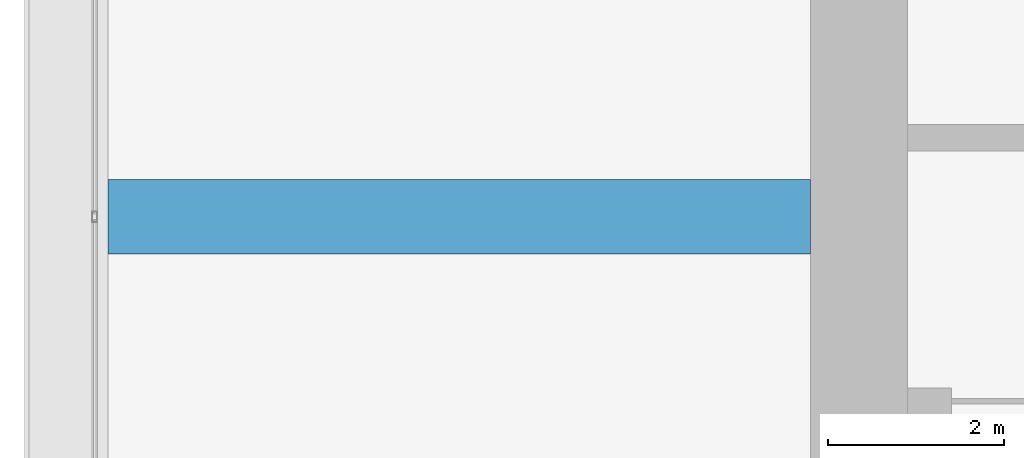
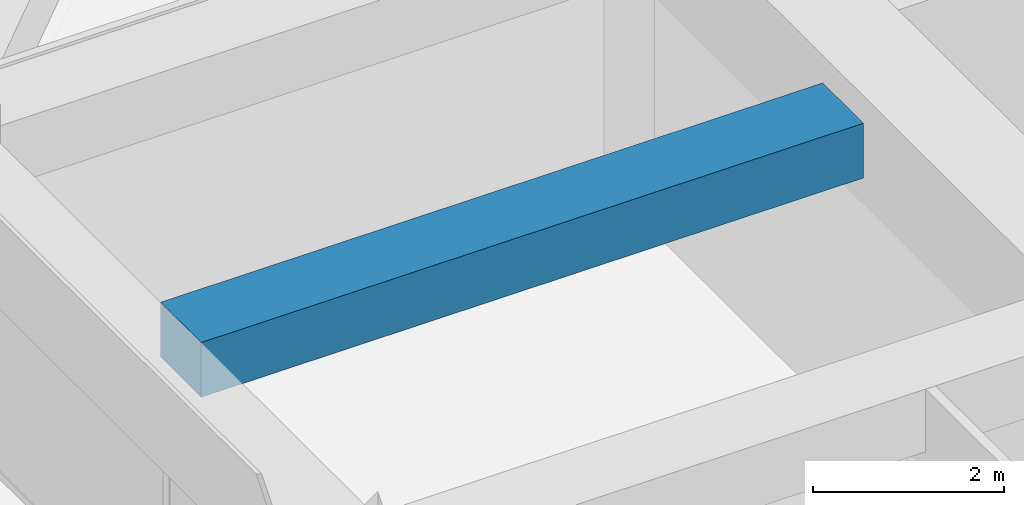
# One storey, part 17 of 44: 1 beam.
"""IFC4 building model written with IfcOpenShell, lengths in metres."""

from ifc_helpers import new_model, si_unit, direction, frame, origin, origin_2d, place, context, subcontext, project, spatial, rectangle, extrude, material, material_profile, profile_set, type_object, element, save


model = new_model("IFC4")

# Units and contexts
model_context = context("Model", 3, precision=1e-05, world=origin(), true_north=direction((0.0, 1.0)))
body_context = subcontext(model_context, "Body", "Model", "MODEL_VIEW")
ifc_project = project(units=[si_unit("LENGTHUNIT", "METRE"), si_unit("AREAUNIT", "SQUARE_METRE"), si_unit("VOLUMEUNIT", "CUBIC_METRE"), si_unit("PLANEANGLEUNIT", "RADIAN"), si_unit("MASSUNIT", "GRAM", prefix="KILO")], contexts=[model_context])

# Site, building, storey
site_placement = place(None, origin())
site = spatial("IfcSite", under=ifc_project, at=site_placement, CompositionType="ELEMENT")
building_placement = place(site_placement, origin())
building = spatial("IfcBuilding", under=site, at=building_placement, Name="Zorevar Civic Tower", CompositionType="ELEMENT")
storey_placement = place(building_placement, frame((0.0, 0.0, 307.39990234375)))
storey = spatial("IfcBuildingStorey", under=building, at=storey_placement, Name="L75", CompositionType="ELEMENT", Elevation=307.39990234375)

# Beam
ifc_material = material(Name="Concrete C50/60", Category="concrete")
ifc_material_profile = material_profile(ifc_material, rectangle(XDim=0.85009765625, YDim=0.699951171875, at=origin_2d()), Name="RC 850x700")
ifc_profile_set = profile_set([ifc_material_profile], Name="Concrete C50/60")
beam_type = type_object("IfcBeamType", Name="Beam RC 850x700", PredefinedType="BEAM", material=ifc_profile_set)
beam_placement = place(storey_placement, frame((9.449951171875, 31.5, 3.7001953125), z_axis=(1.0, 0.0, 0.0), x_axis=(0.0, 1.0, 0.0)))
element("IfcBeam", 1, at=beam_placement, inside=storey, type_object=beam_type, Name="Secondary beam RF", PredefinedType="BEAM", context=body_context, shape_type="SweptSolid", body=[
    extrude(rectangle(XDim=0.85009765625, YDim=0.699951171875, at=origin_2d()), origin(), (0.0, 0.0, 1.0), 8.0),
])

save(model, "model.ifc")
